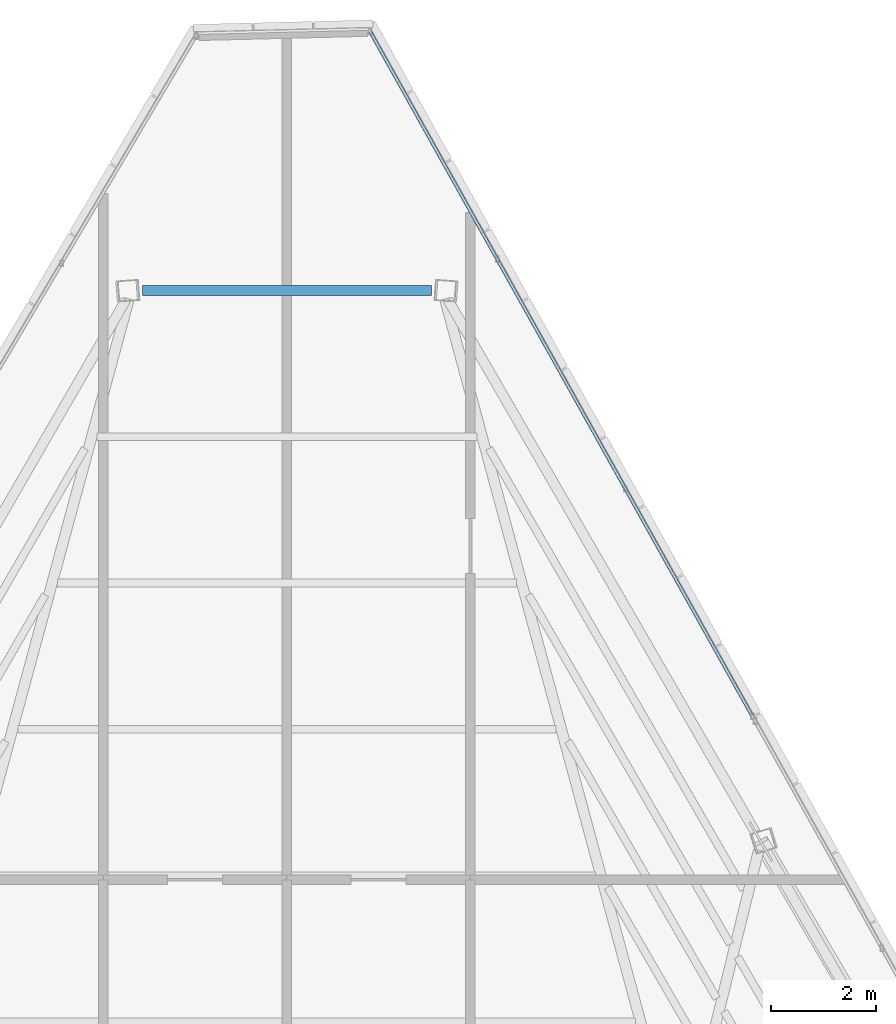
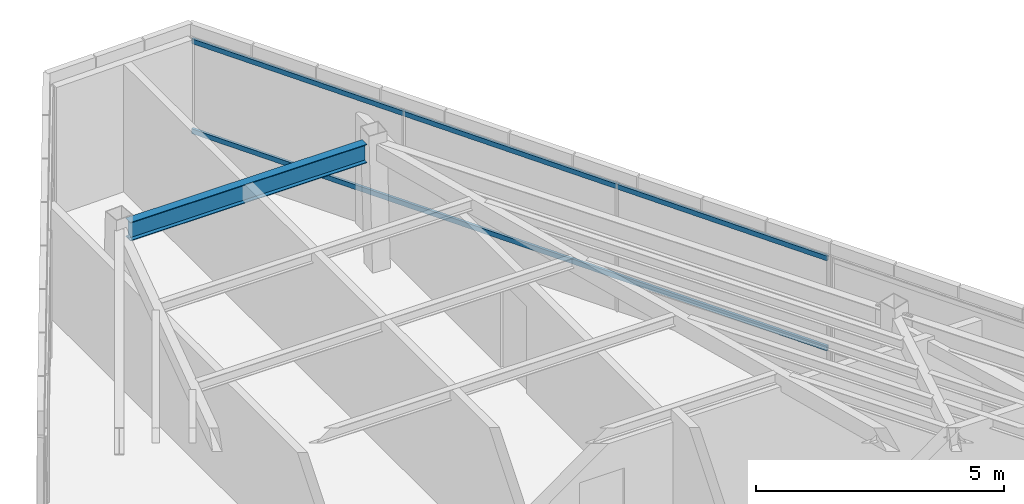
# One storey, part 36 of 44: 2 members, 1 beam, 1 element without a shape of its own.
"""IFC4 building model written with IfcOpenShell, lengths in metres."""

from ifc_helpers import new_model, si_unit, direction, frame, origin, origin_2d, place, context, subcontext, project, spatial, hollow_rectangle, i_section, extrude, source, transform, mapped, material, material_profile, profile_set, type_object, type_shapes, element, aggregate, save


model = new_model("IFC4")

# Units and contexts
model_context = context("Model", 3, precision=1e-05, world=origin(), true_north=direction((0.0, 1.0)))
body_context = subcontext(model_context, "Body", "Model", "MODEL_VIEW")
ifc_project = project(units=[si_unit("LENGTHUNIT", "METRE"), si_unit("AREAUNIT", "SQUARE_METRE"), si_unit("VOLUMEUNIT", "CUBIC_METRE"), si_unit("PLANEANGLEUNIT", "RADIAN"), si_unit("MASSUNIT", "GRAM", prefix="KILO")], contexts=[model_context])

# Site, building, storey
site_placement = place(None, origin())
site = spatial("IfcSite", under=ifc_project, at=site_placement, CompositionType="ELEMENT")
building_placement = place(site_placement, origin())
building = spatial("IfcBuilding", under=site, at=building_placement, Name="Caelisora Broadcast Tower", CompositionType="ELEMENT")
storey_placement = place(building_placement, frame((0.0, 0.0, 289.800048828125)))
storey = spatial("IfcBuildingStorey", under=building, at=storey_placement, Name="L76", CompositionType="ELEMENT", Elevation=289.800048828125)

# Beam
ifc_material_1 = material(Name="Steel Grade 350 (AS/NZS 3679.1)", Category="steel")
ifc_material_profile_1 = material_profile(ifc_material_1, i_section(OverallWidth=0.19091796875, OverallDepth=0.46044921875, WebThickness=0.010009765625, FlangeThickness=0.01611328125, at=origin_2d()), Name="Steel Grade 350 (AS/NZS 3679.1)")
ifc_profile_set_1 = profile_set([ifc_material_profile_1], Name="Steel Grade 350 (AS/NZS 3679.1)")
beam_type = type_object("IfcBeamType", Name="PG06", PredefinedType="BEAM", material=ifc_profile_set_1)
shared_shape_1 = source(origin(), body_context, "Body", "SweptSolid", [
    extrude(i_section(OverallWidth=0.19091796875, OverallDepth=0.46044921875, WebThickness=0.010009765625, FlangeThickness=0.01611328125, at=origin_2d()), origin(), (0.0, 0.0, 1.0), 5.517578125),
])
type_shapes(beam_type, [shared_shape_1])
beam_placement = place(storey_placement, frame((40.7587890625, 46.739501953125, 2.919677734375), z_axis=(-1.0, 0.0, 0.0), x_axis=(0.0, -1.0, 0.0)))
element("IfcBeam", 1, at=beam_placement, inside=storey, type_object=beam_type, Name="L76 beam PG06", PredefinedType="BEAM", context=body_context, shape_type="MappedRepresentation", body=[
    mapped(shared_shape_1, transform((0.0, 0.0, 0.0), scale=1.0)),
])

# Curtain wall, members
ifc_material_2 = material(Name="Unitised Aluminium Insulated Shadow-Box Spandrel Curtain Wall", Category="aluminium")
curtain_wall_type = type_object("IfcCurtainWallType", Name="CW-SP3", PredefinedType="NOTDEFINED", material=ifc_material_2)
curtain_wall_placement = place(storey_placement, origin())
curtain_wall = element("IfcCurtainWall", 2, at=curtain_wall_placement, inside=storey, type_object=curtain_wall_type, Name="L76 curtain wall CW-SP3", PredefinedType="NOTDEFINED")
ifc_material_3 = material(Name="Aluminium 6063-T6 Anodised Terracotta Bronze", Category="aluminium")
ifc_material_profile_2 = material_profile(ifc_material_3, hollow_rectangle(XDim=0.06005859375, YDim=0.1201171875, WallThickness=0.0029296875, at=origin_2d()), Name="Aluminium 6063-T6 Anodised Terracotta Bronze")
ifc_profile_set_2 = profile_set([ifc_material_profile_2], Name="Aluminium 6063-T6 Anodised Terracotta Bronze")
member_type = type_object("IfcMemberType", Name="CWT-03", PredefinedType="USERDEFINED", material=ifc_profile_set_2)
shared_shape_2 = source(origin(), body_context, "Body", "SweptSolid", [
    extrude(hollow_rectangle(XDim=0.06005859375, YDim=0.1201171875, WallThickness=0.0029296875, at=origin_2d()), origin(), (0.0, 0.0, 1.0), 14.943359375),
])
type_shapes(member_type, [shared_shape_2])
member_1_placement = place(storey_placement, frame((39.58837890625, 51.67138671875, 0.849853515625), z_axis=(0.48747015837, -0.873139647879, 0.0), x_axis=(0.873139647879, 0.48747015837, 0.0)))
member_1 = element("IfcMember", 3, at=member_1_placement, type_object=member_type, Name="L76-CW-B01 transom #1", ObjectType="TRANSOM", PredefinedType="USERDEFINED", context=body_context, shape_type="MappedRepresentation", body=[
    mapped(shared_shape_2, transform((0.0, 0.0, 0.0), scale=1.0)),
])
member_2_placement = place(storey_placement, frame((39.58837890625, 51.67138671875, 3.070068359375), z_axis=(0.48747015837, -0.873139647879, 0.0), x_axis=(0.873139647879, 0.48747015837, 0.0)))
member_2 = element("IfcMember", 4, at=member_2_placement, type_object=member_type, Name="L76-CW-B01 transom #2", ObjectType="TRANSOM", PredefinedType="USERDEFINED", context=body_context, shape_type="MappedRepresentation", body=[
    mapped(shared_shape_2, transform((0.0, 0.0, 0.0), scale=1.0)),
])
aggregate(curtain_wall, [member_1, member_2])

save(model, "model.ifc")
